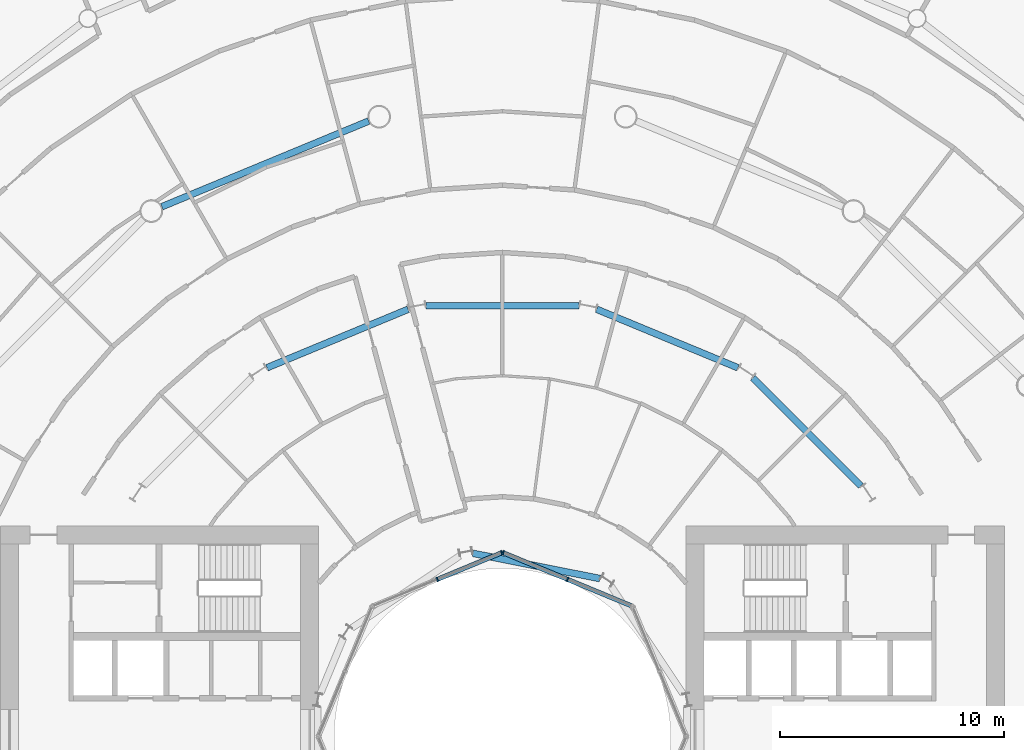
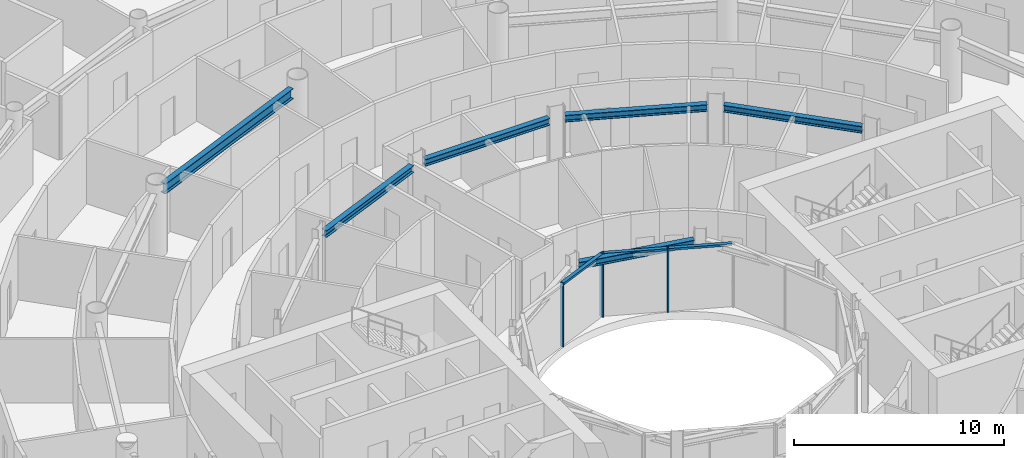
# One storey, part 10 of 29: 7 members, 6 beams, 2 elements without a shape of their own.
"""IFC4 building model written with IfcOpenShell, lengths in metres."""

from ifc_helpers import new_model, si_unit, direction, frame, origin, origin_2d, place, context, subcontext, project, spatial, rectangle, i_section, extrude, material, layer, layer_set, material_profile, profile_set, type_object, element, aggregate, save


model = new_model("IFC4")

# Units and contexts
model_context = context("Model", 3, precision=1e-05, world=origin(), true_north=direction((0.0, 1.0)))
body_context = subcontext(model_context, "Body", "Model", "MODEL_VIEW")
ifc_project = project(units=[si_unit("LENGTHUNIT", "METRE"), si_unit("AREAUNIT", "SQUARE_METRE"), si_unit("VOLUMEUNIT", "CUBIC_METRE"), si_unit("PLANEANGLEUNIT", "RADIAN"), si_unit("MASSUNIT", "GRAM", prefix="KILO")], contexts=[model_context])

# Site, building, storey
site_placement = place(None, origin())
site = spatial("IfcSite", under=ifc_project, at=site_placement, CompositionType="ELEMENT")
building_placement = place(site_placement, origin())
building = spatial("IfcBuilding", under=site, at=building_placement, Name="Maasbend Ring Residences", CompositionType="ELEMENT")
storey_placement = place(building_placement, frame((0.0, 0.0, 5.39990234375)))
storey = spatial("IfcBuildingStorey", under=building, at=storey_placement, Name="L01", CompositionType="ELEMENT", Elevation=5.39990234375)

# Curtain wall, members
ifc_material_1 = material(Name="Aluminium and clear glass", Category="aluminium")
ifc_layer = layer(ifc_material_1, 0.199951171875)
ifc_layer_set = layer_set([ifc_layer], Name="CW-LR")
curtain_wall_type = type_object("IfcCurtainWallType", Name="CW-LR", PredefinedType="NOTDEFINED", material=ifc_layer_set)
curtain_wall_1_placement = place(storey_placement, origin())
curtain_wall_1 = element("IfcCurtainWall", 1, at=curtain_wall_1_placement, inside=storey, type_object=curtain_wall_type, Name="Lobby ring curtain wall 02", PredefinedType="NOTDEFINED")
ifc_material_2 = material(Name="Aluminium 6063-T6", Category="aluminium")
ifc_material_profile_1 = material_profile(ifc_material_2, rectangle(XDim=0.199951171875, YDim=0.070068359375, at=origin_2d()), Name="AL 200x70")
ifc_profile_set_1 = profile_set([ifc_material_profile_1], Name="Aluminium 6063-T6")
member_type_1 = type_object("IfcMemberType", Name="CWM-LR", PredefinedType="MULLION", material=ifc_profile_set_1)
member_1_placement = place(storey_placement, frame((2.904541015625, 7.01220703125, 0.0), z_axis=(0.0, 0.0, 1.0), x_axis=(-0.382683432365, -0.923879532511, 0.0)))
member_1 = element("IfcMember", 2, at=member_1_placement, type_object=member_type_1, Name="Mullion podium lobby ring", PredefinedType="MULLION", context=body_context, shape_type="SweptSolid", body=[
    extrude(rectangle(XDim=0.199951171875, YDim=0.070068359375, at=origin_2d()), origin(), (0.0, 0.0, 1.0), 3.7001953125),
])
member_2_placement = place(storey_placement, frame((0.0322265625, 8.201904296875, 0.0), z_axis=(0.0, 0.0, 1.0), x_axis=(-0.382683432365, -0.923879532511, 0.0)))
member_2 = element("IfcMember", 3, at=member_2_placement, type_object=member_type_1, Name="Mullion podium lobby ring", PredefinedType="MULLION", context=body_context, shape_type="SweptSolid", body=[
    extrude(rectangle(XDim=0.199951171875, YDim=0.070068359375, at=origin_2d()), origin(), (0.0, 0.0, 1.0), 3.7001953125),
])

curtain_wall_2_placement = place(storey_placement, origin())
curtain_wall_2 = element("IfcCurtainWall", 4, at=curtain_wall_2_placement, inside=storey, type_object=curtain_wall_type, Name="Lobby ring curtain wall 03", PredefinedType="NOTDEFINED")
member_3_placement = place(storey_placement, frame((-0.0322265625, 8.201904296875, 0.0), z_axis=(0.0, 0.0, 1.0), x_axis=(0.382683432365, -0.923879532511, 0.0)))
member_3 = element("IfcMember", 5, at=member_3_placement, type_object=member_type_1, Name="Mullion podium lobby ring", PredefinedType="MULLION", context=body_context, shape_type="SweptSolid", body=[
    extrude(rectangle(XDim=0.199951171875, YDim=0.070068359375, at=origin_2d()), origin(), (0.0, 0.0, 1.0), 3.7001953125),
])
member_4_placement = place(storey_placement, frame((-2.904541015625, 7.01220703125, 0.0), z_axis=(0.0, 0.0, 1.0), x_axis=(0.382683432365, -0.923879532511, 0.0)))
member_4 = element("IfcMember", 6, at=member_4_placement, type_object=member_type_1, Name="Mullion podium lobby ring", PredefinedType="MULLION", context=body_context, shape_type="SweptSolid", body=[
    extrude(rectangle(XDim=0.199951171875, YDim=0.070068359375, at=origin_2d()), origin(), (0.0, 0.0, 1.0), 3.7001953125),
])

# Member
ifc_material_3 = material(Name="Aluminium 6063-T6", Category="aluminium")
ifc_material_profile_2 = material_profile(ifc_material_3, rectangle(XDim=0.199951171875, YDim=0.1201171875, at=origin_2d()), Name="AL 200x120")
ifc_profile_set_2 = profile_set([ifc_material_profile_2], Name="Aluminium 6063-T6")
member_type_2 = type_object("IfcMemberType", Name="CWT-LR", PredefinedType="USERDEFINED", material=ifc_profile_set_2)
member_5_placement = place(storey_placement, frame((5.744384765625, 5.8359375, 3.64013671875), z_axis=(-0.923880718565, 0.382680568965, 0.0), x_axis=(-0.382680568965, -0.923880718565, 0.0)))
member_5 = element("IfcMember", 7, at=member_5_placement, type_object=member_type_2, Name="Transom podium lobby ring", ObjectType="TRANSOM", PredefinedType="USERDEFINED", context=body_context, shape_type="SweptSolid", body=[
    extrude(rectangle(XDim=0.199951171875, YDim=0.1201171875, at=origin_2d()), origin(), (0.0, 0.0, 1.0), 3.03857421875),
])

member_6_placement = place(storey_placement, frame((2.872314453125, 7.025634765625, 3.64013671875), z_axis=(-0.92389248325, 0.382652165019, 0.0), x_axis=(-0.382652165019, -0.92389248325, 0.0)))
member_6 = element("IfcMember", 8, at=member_6_placement, type_object=member_type_2, Name="Transom podium lobby ring", ObjectType="TRANSOM", PredefinedType="USERDEFINED", context=body_context, shape_type="SweptSolid", body=[
    extrude(rectangle(XDim=0.199951171875, YDim=0.1201171875, at=origin_2d()), origin(), (0.0, 0.0, 1.0), 3.038818359375),
])

aggregate(curtain_wall_1, [member_1, member_2, member_5, member_6])

member_7_placement = place(storey_placement, frame((-0.064697265625, 8.1884765625, 3.64013671875), z_axis=(-0.92389248325, -0.382652165019, 0.0), x_axis=(0.382652165019, -0.92389248325, 0.0)))
member_7 = element("IfcMember", 9, at=member_7_placement, type_object=member_type_2, Name="Transom podium lobby ring", ObjectType="TRANSOM", PredefinedType="USERDEFINED", context=body_context, shape_type="SweptSolid", body=[
    extrude(rectangle(XDim=0.199951171875, YDim=0.1201171875, at=origin_2d()), origin(), (0.0, 0.0, 1.0), 3.038818359375),
])

aggregate(curtain_wall_2, [member_3, member_4, member_7])

# Beams
ifc_material_4 = material(Name="Steel S355J2", Category="steel")
ifc_material_profile_3 = material_profile(ifc_material_4, i_section(OverallWidth=0.300048828125, OverallDepth=0.39990234375, WebThickness=0.013427734375, FlangeThickness=0.02392578125, FilletRadius=0.027099609375, at=origin_2d()), Name="HEB 400")
ifc_profile_set_3 = profile_set([ifc_material_profile_3], Name="Steel S355J2")
beam_type_1 = type_object("IfcBeamType", Name="Corridor ring beam HEB 400", PredefinedType="BEAM", material=ifc_profile_set_3)
for number, where, z_axis, x_axis, name in (
    (10, (16.00341796875, 11.1826171875, 3.5), (-0.707106781187, 0.707106781187, 0.0), (-0.707106781187, -0.707106781187, 0.0), "Corridor ring beam"),
    (11, (10.505859375, 16.45556640625, 3.5), (-0.92387061516, 0.382704960046, 0.0), (-0.382704960046, -0.92387061516, 0.0), "Corridor ring beam"),
):
    element("IfcBeam", number, at=place(storey_placement, frame(where, z_axis=z_axis, x_axis=x_axis)), inside=storey, type_object=beam_type_1, Name=name, PredefinedType="BEAM", context=body_context, shape_type="SweptSolid", body=[
        extrude(i_section(OverallWidth=0.300048828125, OverallDepth=0.39990234375, WebThickness=0.013427734375, FlangeThickness=0.02392578125, FilletRadius=0.027099609375, at=origin_2d()), origin(), (0.0, 0.0, 1.0), 6.817626953125),
    ])
beam_1_placement = place(storey_placement, frame((3.40869140625, 19.223388671875, 3.5), z_axis=(-1.0, 0.0, 0.0), x_axis=(0.0, -1.0, 0.0)))
element("IfcBeam", 12, at=beam_1_placement, inside=storey, type_object=beam_type_1, Name="Corridor ring beam", PredefinedType="BEAM", context=body_context, shape_type="SweptSolid", body=[
    extrude(i_section(OverallWidth=0.300048828125, OverallDepth=0.39990234375, WebThickness=0.013427734375, FlangeThickness=0.02392578125, FilletRadius=0.027099609375, at=origin_2d()), origin(), (0.0, 0.0, 1.0), 6.8173828125),
])
beam_2_placement = place(storey_placement, frame((-4.207275390625, 19.064697265625, 3.5), z_axis=(-0.92387061516, -0.382704960046, 0.0), x_axis=(0.382704960046, -0.92387061516, 0.0)))
element("IfcBeam", 13, at=beam_2_placement, inside=storey, type_object=beam_type_1, Name="Corridor ring beam", PredefinedType="BEAM", context=body_context, shape_type="SweptSolid", body=[
    extrude(i_section(OverallWidth=0.300048828125, OverallDepth=0.39990234375, WebThickness=0.013427734375, FlangeThickness=0.02392578125, FilletRadius=0.027099609375, at=origin_2d()), origin(), (0.0, 0.0, 1.0), 6.817626953125),
])
ifc_material_5 = material(Name="Steel S460M", Category="steel")
ifc_material_profile_4 = material_profile(ifc_material_5, i_section(OverallWidth=0.300048828125, OverallDepth=0.60009765625, WebThickness=0.015380859375, FlangeThickness=0.030029296875, FilletRadius=0.027099609375, at=origin_2d()), Name="HEB 600")
ifc_profile_set_4 = profile_set([ifc_material_profile_4], Name="Steel S460M")
beam_type_2 = type_object("IfcBeamType", Name="Spandrel ring beam HEB 600", PredefinedType="SPANDREL", material=ifc_profile_set_4)
beam_3_placement = place(storey_placement, frame((-5.970703125, 27.463623046875, 3.400146484375), z_axis=(-0.923886337442, -0.382667003395, 0.0), x_axis=(0.382667003395, -0.923886337442, 0.0)))
element("IfcBeam", 14, at=beam_3_placement, inside=storey, type_object=beam_type_2, Name="Spandrel ring beam", PredefinedType="SPANDREL", context=body_context, shape_type="SweptSolid", body=[
    extrude(i_section(OverallWidth=0.300048828125, OverallDepth=0.60009765625, WebThickness=0.015380859375, FlangeThickness=0.030029296875, FilletRadius=0.027099609375, at=origin_2d()), origin(), (0.0, 0.0, 1.0), 9.9873046875),
])
ifc_material_6 = material(Name="Steel S355J2", Category="steel")
ifc_material_profile_5 = material_profile(ifc_material_6, i_section(OverallWidth=0.300048828125, OverallDepth=0.39990234375, WebThickness=0.013427734375, FlangeThickness=0.02392578125, FilletRadius=0.027099609375, at=origin_2d()), Name="HEB 400")
ifc_profile_set_5 = profile_set([ifc_material_profile_5], Name="Steel S355J2")
beam_type_3 = type_object("IfcBeamType", Name="Well edge beam HEB 400", PredefinedType="BEAM", material=ifc_profile_set_5)
beam_4_placement = place(storey_placement, frame((4.348388671875, 7.047607421875, 3.5), z_axis=(-0.980781612923, 0.195108758779, 0.0), x_axis=(-0.195108758779, -0.980781612923, 0.0)))
element("IfcBeam", 15, at=beam_4_placement, inside=storey, type_object=beam_type_3, Name="Well edge beam", PredefinedType="BEAM", context=body_context, shape_type="SweptSolid", body=[
    extrude(i_section(OverallWidth=0.300048828125, OverallDepth=0.39990234375, WebThickness=0.013427734375, FlangeThickness=0.02392578125, FilletRadius=0.027099609375, at=origin_2d()), origin(), (0.0, 0.0, 1.0), 5.77978515625),
])

save(model, "model.ifc")
